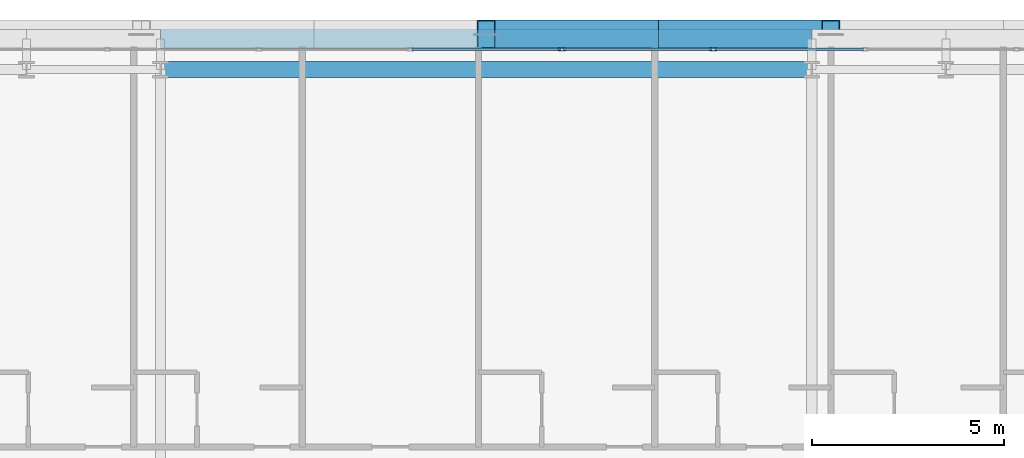
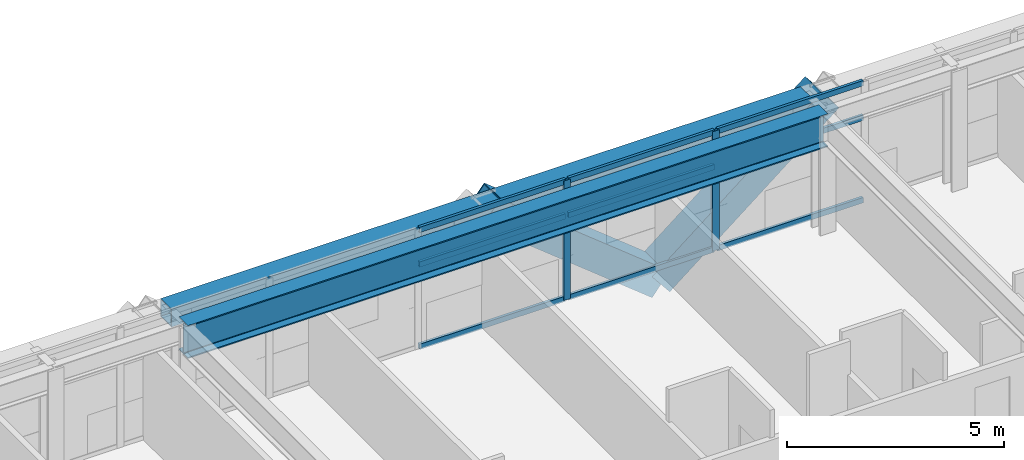
# One storey, part 19 of 36: 13 members, 2 beams, 1 element without a shape of its own.
"""IFC4 building model written with IfcOpenShell, lengths in metres."""

from ifc_helpers import new_model, si_unit, direction, frame, origin, origin_2d, place, context, subcontext, project, spatial, hollow_rectangle, i_section, extrude, source, transform, mapped, material, layer, layer_set, material_profile, profile_set, type_object, element, aggregate, save


model = new_model("IFC4")

# Units and contexts
model_context = context("Model", 3, precision=1e-05, world=origin(), true_north=direction((0.0, 1.0)))
body_context = subcontext(model_context, "Body", "Model", "MODEL_VIEW")
ifc_project = project(units=[si_unit("LENGTHUNIT", "METRE"), si_unit("AREAUNIT", "SQUARE_METRE"), si_unit("VOLUMEUNIT", "CUBIC_METRE"), si_unit("PLANEANGLEUNIT", "RADIAN"), si_unit("MASSUNIT", "GRAM", prefix="KILO")], contexts=[model_context])

# Site, building, storey
site_placement = place(None, origin())
site = spatial("IfcSite", under=ifc_project, at=site_placement, CompositionType="ELEMENT")
building_placement = place(site_placement, origin())
building = spatial("IfcBuilding", under=site, at=building_placement, Name="Ocotamira Hotel", CompositionType="ELEMENT")
storey_placement = place(building_placement, frame((0.0, 0.0, 136.800048828125)))
storey = spatial("IfcBuildingStorey", under=building, at=storey_placement, Name="L34", CompositionType="ELEMENT", Elevation=136.800048828125)

# Beams
ifc_material_1 = material(Name="Steel ASTM A992 Grade 50", Category="steel")
ifc_material_profile_1 = material_profile(ifc_material_1, i_section(OverallWidth=0.41796875, OverallDepth=0.927001953125, WebThickness=0.019287109375, FlangeThickness=0.031982421875, FilletRadius=0.02392578125, at=origin_2d()), Name="W36X231")
ifc_profile_set_1 = profile_set([ifc_material_profile_1], Name="Steel ASTM A992 Grade 50")
beam_type_1 = type_object("IfcBeamType", Name="BM-GIRD-W36X231", PredefinedType="BEAM", material=ifc_profile_set_1)
shared_shape_1 = source(origin(), body_context, "Body", "SweptSolid", [
    extrude(i_section(OverallWidth=0.41796875, OverallDepth=0.927001953125, WebThickness=0.019287109375, FlangeThickness=0.031982421875, FilletRadius=0.02392578125, at=origin_2d()), origin(), (0.0, 0.0, 1.0), 17.0),
])
beam_1_placement = place(storey_placement, frame((23.5, 49.050048828125, 2.896484375), z_axis=(1.0, 0.0, 0.0), x_axis=(0.0, 1.0, 0.0)))
element("IfcBeam", 1, at=beam_1_placement, inside=storey, type_object=beam_type_1, Name="L34 Girder Y49.05 X23.5-40.5", PredefinedType="BEAM", context=body_context, shape_type="MappedRepresentation", body=[
    mapped(shared_shape_1, transform((0.0, 0.0, 0.0), scale=1.0)),
])
ifc_material_2 = material(Name="Steel ASTM A500 Grade C", Category="steel")
ifc_material_profile_2 = material_profile(ifc_material_2, hollow_rectangle(XDim=0.5, YDim=0.5, WallThickness=0.02001953125, at=origin_2d()), Name="HSS500X500X20")
ifc_profile_set_2 = profile_set([ifc_material_profile_2], Name="Steel ASTM A500 Grade C")
beam_type_2 = type_object("IfcBeamType", Name="BM-SPAN-HSS500", PredefinedType="USERDEFINED", material=ifc_profile_set_2)
shared_shape_2 = source(origin(), body_context, "Body", "SweptSolid", [
    extrude(hollow_rectangle(XDim=0.5, YDim=0.5, WallThickness=0.02001953125, at=origin_2d()), origin(), (0.0, 0.0, 1.0), 17.0),
])
beam_2_placement = place(storey_placement, frame((23.5, 49.85009765625, 3.10986328125), z_axis=(1.0, 0.0, 0.0), x_axis=(0.0, 1.0, 0.0)))
element("IfcBeam", 2, at=beam_2_placement, inside=storey, type_object=beam_type_2, Name="L34 Edge Spandrel N X23.5-40.5", ObjectType="SPANDREL", PredefinedType="USERDEFINED", context=body_context, shape_type="MappedRepresentation", body=[
    mapped(shared_shape_2, transform((0.0, 0.0, 0.0), scale=1.0)),
])

# Members
ifc_material_3 = material(Name="Pale-metal coated steel ASTM A913 Grade 65", Category="steel")
ifc_material_profile_3 = material_profile(ifc_material_3, hollow_rectangle(XDim=0.75, YDim=0.75, WallThickness=0.028076171875, at=origin_2d()), Name="BOX750X750X28")
ifc_profile_set_3 = profile_set([ifc_material_profile_3], Name="Pale-metal coated steel ASTM A913 Grade 65")
member_type_1 = type_object("IfcMemberType", Name="MEM-EXO-BOX750", PredefinedType="BRACE", material=ifc_profile_set_3)
shared_shape_3 = source(origin(), body_context, "Body", "SweptSolid", [
    extrude(hollow_rectangle(XDim=0.75, YDim=0.75, WallThickness=0.028076171875, at=origin_2d()), origin(), (0.0, 0.0, 1.0), 5.7626953125),
])
for number, where, z_axis, x_axis, name in (
    (3, (36.5, 49.969970703125, -0.489990234375), (-0.780881208953, 0.0, 0.624679547852), (0.0, -1.0, 0.0), "L34 Exoskeleton Diagrid N2.1"),
    (4, (36.5, 49.969970703125, -0.489990234375), (0.780881208953, 0.0, 0.624679547852), (0.0, 1.0, 0.0), "L34 Exoskeleton Diagrid N2.2"),
):
    element("IfcMember", number, at=place(storey_placement, frame(where, z_axis=z_axis, x_axis=x_axis)), inside=storey, type_object=member_type_1, Name=name, PredefinedType="BRACE", context=body_context, shape_type="MappedRepresentation", body=[
        mapped(shared_shape_3, transform((0.0, 0.0, 0.0), scale=1.0)),
    ])

# Curtain wall, members
ifc_material_4 = material(Name="Anodised pale-metal aluminium and solar glass", Category="aluminium")
ifc_layer = layer(ifc_material_4, 0.179931640625)
ifc_layer_set = layer_set([ifc_layer], Name="Anodised pale-metal aluminium and solar glass")
curtain_wall_type = type_object("IfcCurtainWallType", Name="CW-SYS3-Z2", PredefinedType="NOTDEFINED", material=ifc_layer_set)
curtain_wall_placement = place(storey_placement, origin())
curtain_wall = element("IfcCurtainWall", 5, at=curtain_wall_placement, inside=storey, type_object=curtain_wall_type, Name="L34 Curtain Wall CW-3 CW-L34-N", PredefinedType="NOTDEFINED")
ifc_material_5 = material(Name="Anodised pale-metal aluminium 6063-T6", Category="aluminium")
ifc_material_profile_4 = material_profile(ifc_material_5, hollow_rectangle(XDim=0.074951171875, YDim=0.14990234375, WallThickness=0.006103515625, at=origin_2d()), Name="HSS150X75X6")
ifc_profile_set_4 = profile_set([ifc_material_profile_4], Name="Anodised pale-metal aluminium 6063-T6")
member_type_2 = type_object("IfcMemberType", Name="CWT-150X75", PredefinedType="USERDEFINED", material=ifc_profile_set_4)
shared_shape_4 = source(origin(), body_context, "Body", "SweptSolid", [
    extrude(hollow_rectangle(XDim=0.074951171875, YDim=0.14990234375, WallThickness=0.006103515625, at=origin_2d()), origin(), (0.0, 0.0, 1.0), 3.87548828125),
])
member_1_placement = place(storey_placement, frame((30.062255859375, 49.580078125, 0.037353515625), z_axis=(1.0, 0.0, 0.0), x_axis=(0.0, 1.0, 0.0)))
member_1 = element("IfcMember", 6, at=member_1_placement, type_object=member_type_2, Name="CW-3 transom 5.1", ObjectType="TRANSOM", PredefinedType="USERDEFINED", context=body_context, shape_type="MappedRepresentation", body=[
    mapped(shared_shape_4, transform((0.0, 0.0, 0.0), scale=1.0)),
])
member_2_placement = place(storey_placement, frame((30.062255859375, 49.580078125, 2.349853515625), z_axis=(1.0, 0.0, 0.0), x_axis=(0.0, 1.0, 0.0)))
member_2 = element("IfcMember", 7, at=member_2_placement, type_object=member_type_2, Name="CW-3 transom 5.2", ObjectType="TRANSOM", PredefinedType="USERDEFINED", context=body_context, shape_type="MappedRepresentation", body=[
    mapped(shared_shape_4, transform((0.0, 0.0, 0.0), scale=1.0)),
])
member_3_placement = place(storey_placement, frame((30.062255859375, 49.580078125, 3.322509765625), z_axis=(1.0, 0.0, 0.0), x_axis=(0.0, 1.0, 0.0)))
member_3 = element("IfcMember", 8, at=member_3_placement, type_object=member_type_2, Name="CW-3 transom 5.3", ObjectType="TRANSOM", PredefinedType="USERDEFINED", context=body_context, shape_type="MappedRepresentation", body=[
    mapped(shared_shape_4, transform((0.0, 0.0, 0.0), scale=1.0)),
])
member_4_placement = place(storey_placement, frame((34.017822265625, 49.580078125, 0.037353515625), z_axis=(1.0, 0.0, 0.0), x_axis=(0.0, 1.0, 0.0)))
member_4 = element("IfcMember", 9, at=member_4_placement, type_object=member_type_2, Name="CW-3 transom 6.1", ObjectType="TRANSOM", PredefinedType="USERDEFINED", context=body_context, shape_type="MappedRepresentation", body=[
    mapped(shared_shape_4, transform((0.0, 0.0, 0.0), scale=1.0)),
])
member_5_placement = place(storey_placement, frame((34.017822265625, 49.580078125, 2.349853515625), z_axis=(1.0, 0.0, 0.0), x_axis=(0.0, 1.0, 0.0)))
member_5 = element("IfcMember", 10, at=member_5_placement, type_object=member_type_2, Name="CW-3 transom 6.2", ObjectType="TRANSOM", PredefinedType="USERDEFINED", context=body_context, shape_type="MappedRepresentation", body=[
    mapped(shared_shape_4, transform((0.0, 0.0, 0.0), scale=1.0)),
])
member_6_placement = place(storey_placement, frame((34.017822265625, 49.580078125, 3.322509765625), z_axis=(1.0, 0.0, 0.0), x_axis=(0.0, 1.0, 0.0)))
member_6 = element("IfcMember", 11, at=member_6_placement, type_object=member_type_2, Name="CW-3 transom 6.3", ObjectType="TRANSOM", PredefinedType="USERDEFINED", context=body_context, shape_type="MappedRepresentation", body=[
    mapped(shared_shape_4, transform((0.0, 0.0, 0.0), scale=1.0)),
])
member_7_placement = place(storey_placement, frame((37.973388671875, 49.580078125, 0.037353515625), z_axis=(1.0, 0.0, 0.0), x_axis=(0.0, 1.0, 0.0)))
member_7 = element("IfcMember", 12, at=member_7_placement, type_object=member_type_2, Name="CW-3 transom 7.1", ObjectType="TRANSOM", PredefinedType="USERDEFINED", context=body_context, shape_type="MappedRepresentation", body=[
    mapped(shared_shape_4, transform((0.0, 0.0, 0.0), scale=1.0)),
])
member_8_placement = place(storey_placement, frame((37.973388671875, 49.580078125, 2.349853515625), z_axis=(1.0, 0.0, 0.0), x_axis=(0.0, 1.0, 0.0)))
member_8 = element("IfcMember", 13, at=member_8_placement, type_object=member_type_2, Name="CW-3 transom 7.2", ObjectType="TRANSOM", PredefinedType="USERDEFINED", context=body_context, shape_type="MappedRepresentation", body=[
    mapped(shared_shape_4, transform((0.0, 0.0, 0.0), scale=1.0)),
])
member_9_placement = place(storey_placement, frame((37.973388671875, 49.580078125, 3.322509765625), z_axis=(1.0, 0.0, 0.0), x_axis=(0.0, 1.0, 0.0)))
member_9 = element("IfcMember", 14, at=member_9_placement, type_object=member_type_2, Name="CW-3 transom 7.3", ObjectType="TRANSOM", PredefinedType="USERDEFINED", context=body_context, shape_type="MappedRepresentation", body=[
    mapped(shared_shape_4, transform((0.0, 0.0, 0.0), scale=1.0)),
])
ifc_material_profile_5 = material_profile(ifc_material_5, hollow_rectangle(XDim=0.080078125, YDim=0.179931640625, WallThickness=0.006103515625, at=origin_2d()), Name="HSS180X80X6")
ifc_profile_set_5 = profile_set([ifc_material_profile_5], Name="Anodised pale-metal aluminium 6063-T6")
member_type_3 = type_object("IfcMemberType", Name="CWM-180X75", PredefinedType="MULLION", material=ifc_profile_set_5)
shared_shape_5 = source(origin(), body_context, "Body", "SweptSolid", [
    extrude(hollow_rectangle(XDim=0.080078125, YDim=0.179931640625, WallThickness=0.006103515625, at=origin_2d()), origin(), (0.0, 0.0, 1.0), 3.35986328125),
])
member_10_placement = place(storey_placement, frame((33.977783203125, 49.580078125, 0.0), z_axis=(0.0, 0.0, 1.0), x_axis=(0.0, 1.0, 0.0)))
member_10 = element("IfcMember", 15, at=member_10_placement, type_object=member_type_3, Name="CW-3 mullion 6", PredefinedType="MULLION", context=body_context, shape_type="MappedRepresentation", body=[
    mapped(shared_shape_5, transform((0.0, 0.0, 0.0), scale=1.0)),
])
member_11_placement = place(storey_placement, frame((37.933349609375, 49.580078125, 0.0), z_axis=(0.0, 0.0, 1.0), x_axis=(0.0, 1.0, 0.0)))
member_11 = element("IfcMember", 16, at=member_11_placement, type_object=member_type_3, Name="CW-3 mullion 7", PredefinedType="MULLION", context=body_context, shape_type="MappedRepresentation", body=[
    mapped(shared_shape_5, transform((0.0, 0.0, 0.0), scale=1.0)),
])
aggregate(curtain_wall, [member_10, member_11, member_1, member_2, member_3, member_4, member_5, member_6, member_7, member_8, member_9])

save(model, "model.ifc")
